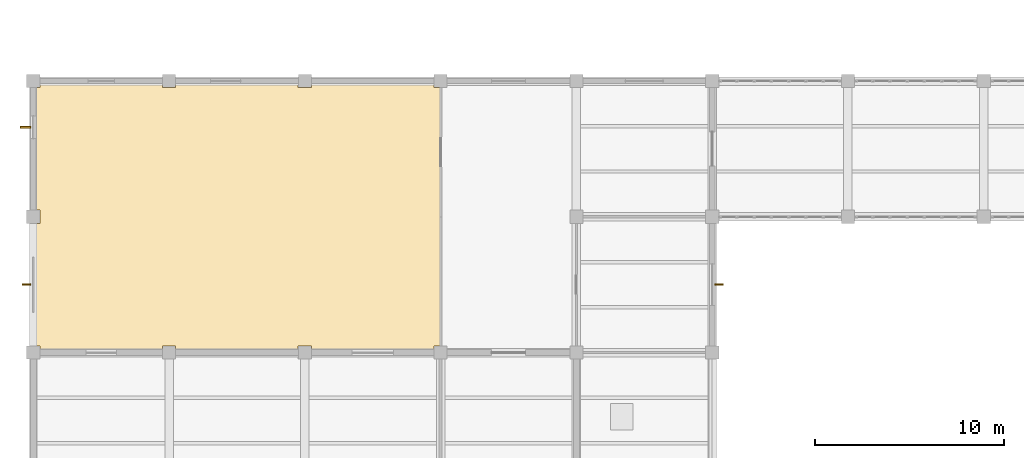
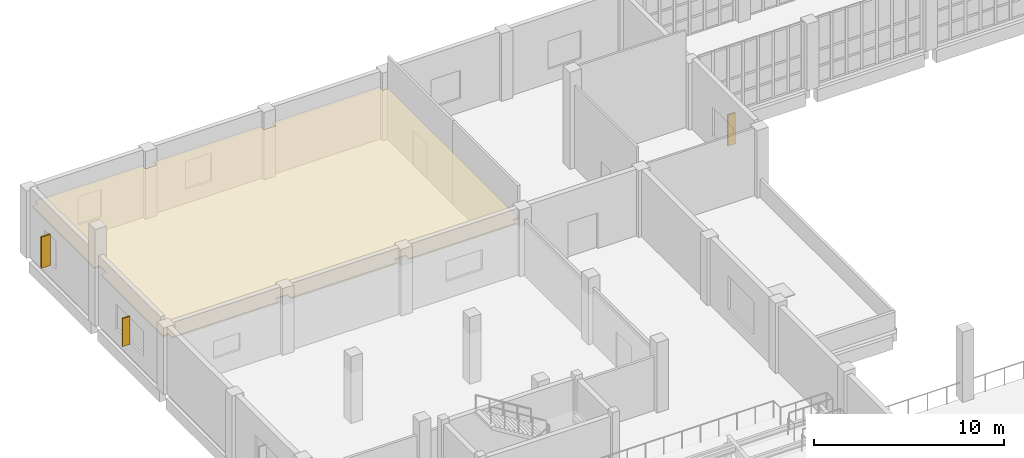
# One storey, part 99 of 108: 3 shading devices, 1 covering.
"""IFC4 building model written with IfcOpenShell, lengths in metres."""

from ifc_helpers import new_model, si_unit, direction, frame, origin, origin_2d, place, context, subcontext, project, spatial, polyline, rectangle, outline, extrude, material, layer, layer_set, type_object, element, save


model = new_model("IFC4")

# Units and contexts
model_context = context("Model", 3, precision=1e-05, world=origin(), true_north=direction((0.0, 1.0)))
body_context = subcontext(model_context, "Body", "Model", "MODEL_VIEW")
ifc_project = project(units=[si_unit("LENGTHUNIT", "METRE"), si_unit("AREAUNIT", "SQUARE_METRE"), si_unit("VOLUMEUNIT", "CUBIC_METRE"), si_unit("PLANEANGLEUNIT", "RADIAN"), si_unit("MASSUNIT", "GRAM", prefix="KILO"), si_unit("THERMODYNAMICTEMPERATUREUNIT", "KELVIN"), si_unit("POWERUNIT", "WATT")], contexts=[model_context])

# Site, building, storey
site_placement = place(None, origin())
site = spatial("IfcSite", under=ifc_project, at=site_placement, CompositionType="ELEMENT")
building_placement = place(site_placement, origin())
building = spatial("IfcBuilding", under=site, at=building_placement, Name="Kaldorven Railside Theatre", CompositionType="ELEMENT")
storey_placement = place(building_placement, frame((0.0, 0.0, 5.39990234375)))
storey = spatial("IfcBuildingStorey", under=building, at=storey_placement, Name="L01", CompositionType="ELEMENT", Elevation=5.39990234375)

# Covering
ifc_material_1 = material(Name="Acoustic hardwood timber", Category="wood")
ifc_layer = layer(ifc_material_1, 0.080078125, Name="Acoustic hardwood timber")
ifc_layer_set = layer_set([ifc_layer], Name="Acoustic hardwood timber")
covering_type = type_object("IfcCoveringType", Name="COV-CLG-02", PredefinedType="CEILING", material=ifc_layer_set)
covering_placement = place(storey_placement, frame((0.0, 0.0, 3.170166015625)))
element("IfcCovering", 1, at=covering_placement, inside=storey, type_object=covering_type, Name="Youth Drama Studio North Acoustic Ceiling 012", PredefinedType="CEILING", context=body_context, shape_type="SweptSolid", body=[
    extrude(outline(polyline([(29.60009765625, 62.751953125), (29.248046875, 62.751953125), (29.248046875, 62.39990234375), (22.751953125, 62.39990234375), (22.751953125, 62.751953125), (22.048095703125, 62.751953125), (22.048095703125, 62.39990234375), (15.552001953125, 62.39990234375), (15.552001953125, 62.751953125), (14.847900390625, 62.751953125), (14.847900390625, 62.39990234375), (8.35205078125, 62.39990234375), (8.35205078125, 62.751953125), (8.0, 62.751953125), (8.0, 69.248046875), (8.35205078125, 69.248046875), (8.35205078125, 69.951904296875), (8.0, 69.951904296875), (8.0, 76.447998046875), (8.35205078125, 76.447998046875), (8.35205078125, 76.800048828125), (14.847900390625, 76.800048828125), (14.847900390625, 76.447998046875), (15.552001953125, 76.447998046875), (15.552001953125, 76.800048828125), (22.048095703125, 76.800048828125), (22.048095703125, 76.447998046875), (22.751953125, 76.447998046875), (22.751953125, 76.800048828125), (29.248046875, 76.800048828125), (29.248046875, 76.447998046875), (29.60009765625, 76.447998046875), (29.60009765625, 62.751953125)])), origin(), (0.0, 0.0, 1.0), 0.079833984375),
])

# Shading devices
ifc_material_2 = material(Name="Anodised bronze aluminium", Category="aluminium")
shading_device_type_1 = type_object("IfcShadingDeviceType", Name="SHD-FIN-01", PredefinedType="USERDEFINED", material=ifc_material_2)
shading_device_1_placement = place(storey_placement, frame((7.638916015625, 66.0, 0.80029296875), z_axis=(0.0, 0.0, 1.0), x_axis=(0.0, 1.0, 0.0)))
element("IfcShadingDevice", 2, at=shading_device_1_placement, inside=storey, type_object=shading_device_type_1, Name="Anodised-Bronze Brise-Soleil Fin FIN-019", ObjectType="SUNSHADE", PredefinedType="USERDEFINED", context=body_context, shape_type="SweptSolid", body=[
    extrude(rectangle(XDim=0.080078125, YDim=0.449951171875, at=origin_2d()), origin(), (0.0, 0.0, 1.0), 1.800048828125),
])
shading_device_2_placement = place(storey_placement, frame((44.361083984375, 66.0, 0.800048828125), z_axis=(0.0, 0.0, 1.0), x_axis=(0.0, -1.0, 0.0)))
element("IfcShadingDevice", 3, at=shading_device_2_placement, inside=storey, type_object=shading_device_type_1, Name="Anodised-Bronze Brise-Soleil Fin FIN-021", ObjectType="SUNSHADE", PredefinedType="USERDEFINED", context=body_context, shape_type="SweptSolid", body=[
    extrude(rectangle(XDim=0.080078125, YDim=0.449951171875, at=origin_2d()), origin(), (0.0, 0.0, 1.0), 2.0),
])
shading_device_type_2 = type_object("IfcShadingDeviceType", Name="SHD-FIN-02", PredefinedType="USERDEFINED", material=ifc_material_2)
shading_device_3_placement = place(storey_placement, frame((7.589111328125, 74.35009765625, 0.800048828125), z_axis=(0.0, 0.0, 1.0), x_axis=(0.0, 1.0, 0.0)))
element("IfcShadingDevice", 4, at=shading_device_3_placement, inside=storey, type_object=shading_device_type_2, Name="Anodised-Bronze Brise-Soleil Fin FIN-020", ObjectType="SUNSHADE", PredefinedType="USERDEFINED", context=body_context, shape_type="SweptSolid", body=[
    extrude(rectangle(XDim=0.10009765625, YDim=0.550048828125, at=origin_2d()), origin(), (0.0, 0.0, 1.0), 2.0),
])

save(model, "model.ifc")
